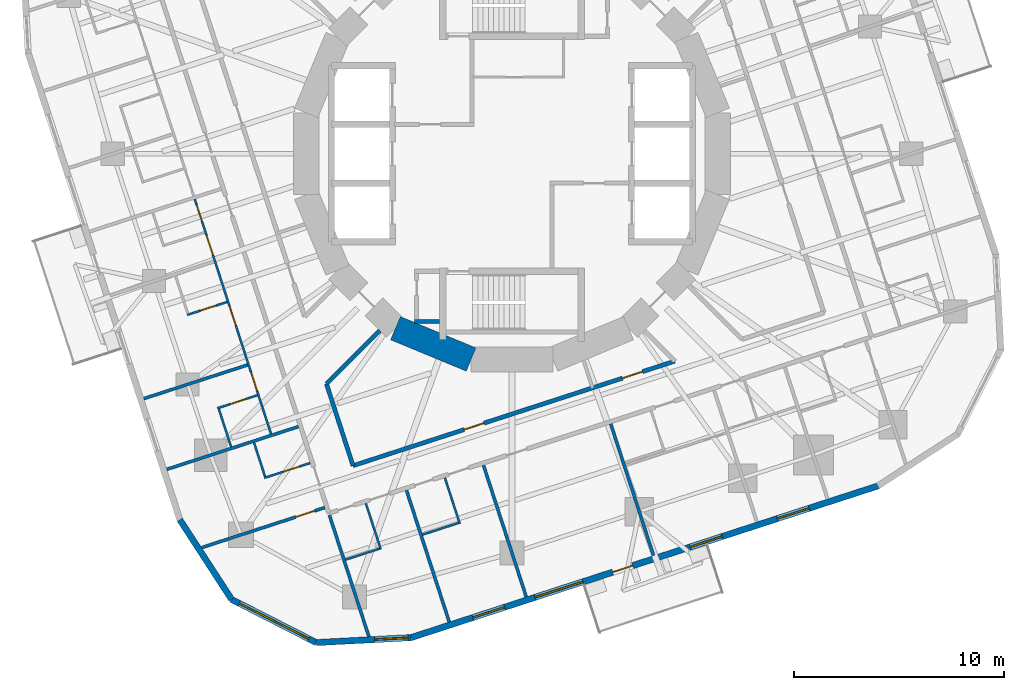
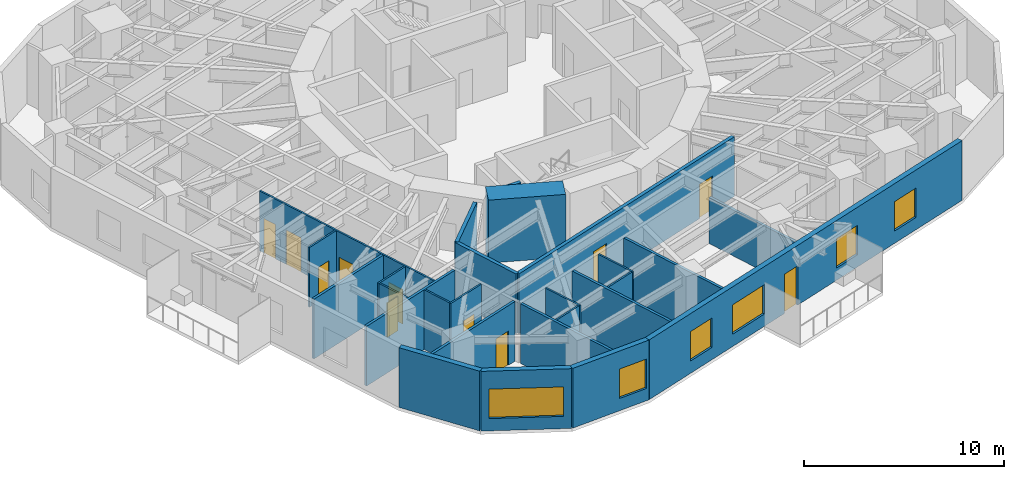
# One storey, part 4 of 13: 26 walls, 11 doors, 6 windows, 17 openings.
"""IFC4 building model written with IfcOpenShell, lengths in metres."""

import ifcopenshell
import ifcopenshell.guid

model = None  # the IFC model being written
_history = None  # IfcOwnerHistory: only IFC2X3 demands one
_inside = {}  # id of a spatial element -> (the spatial element, [elements in it])
_under = {}  # id of a project, library or spatial element -> (it, [spatial elements below it])
_declared = {}  # id of a project -> (the project, [libraries it declares])
_typed = {}  # id of a type object -> (the type object, [elements of that type])
_made_of = {}  # id of a material, layer set ... -> (it, [elements and type objects made of it])


def new_model(schema):
    """Start an empty IFC model of exactly this schema.

    Asked for "IFC4X3", IfcOpenShell would pick the latest addendum, in which some entities
    have other attributes; the version numbers below select the first issue.
    IFC2X3 requires an IfcOwnerHistory on every rooted entity: one is made here for all.
    """
    global model, _history
    if schema == "IFC4X3":
        model = ifcopenshell.file(schema_version=(4, 3, 0, 0))
    else:
        model = ifcopenshell.file(schema=schema)
    _inside.clear()
    _under.clear()
    _declared.clear()
    _typed.clear()
    _made_of.clear()
    _history = None
    if model.schema == "IFC2X3":
        org = make("IfcOrganization", Name="unknown")
        user = make(
            "IfcPersonAndOrganization",
            ThePerson=make("IfcPerson", FamilyName="unknown"),
            TheOrganization=org,
        )
        app = make(
            "IfcApplication",
            ApplicationDeveloper=org,
            Version="unknown",
            ApplicationFullName="unknown",
            ApplicationIdentifier="unknown",
        )
        _history = make(
            "IfcOwnerHistory",
            OwningUser=user,
            OwningApplication=app,
            ChangeAction="ADDED",
            CreationDate=0,
        )
    return model


def make(cls, **values):
    """One entity of the class cls with the attributes given. An attribute that is None is left unset."""
    return model.create_entity(
        cls, **{name: value for name, value in values.items() if value is not None}
    )


def rooted(cls, **values):
    """An entity with a GlobalId (a new one), such as an element, a storey or a relation."""
    return make(cls, GlobalId=ifcopenshell.guid.new(), OwnerHistory=_history, **values)


def si_unit(unit_type, name, prefix=None):
    """IfcSIUnit, for example si_unit("LENGTHUNIT", "METRE", prefix="MILLI")."""
    return make("IfcSIUnit", UnitType=unit_type, Prefix=prefix, Name=name)


def assignment(units):
    """IfcUnitAssignment: the units of a project."""
    return None if units is None else make("IfcUnitAssignment", Units=units)


def point(xyz):
    """IfcCartesianPoint."""
    return None if xyz is None else make("IfcCartesianPoint", Coordinates=xyz)


def direction(xyz):
    """IfcDirection."""
    return None if xyz is None else make("IfcDirection", DirectionRatios=xyz)


def frame(location, z_axis=None, x_axis=None):
    """IfcAxis2Placement3D, a coordinate frame: its origin and axes. An axis left out is left unset."""
    return make(
        "IfcAxis2Placement3D",
        Location=point(location),
        Axis=direction(z_axis),
        RefDirection=direction(x_axis),
    )


def frame_2d(location, x_axis=None):
    """IfcAxis2Placement2D, a coordinate frame in the plane: its origin and x axis."""
    return make(
        "IfcAxis2Placement2D", Location=point(location), RefDirection=direction(x_axis)
    )


def origin():
    """The frame at (0, 0, 0) with its axes left unset."""
    return frame((0.0, 0.0, 0.0))


def place(relative_to, where):
    """IfcLocalPlacement: puts the frame where relative to a parent placement (None: the world)."""
    return make(
        "IfcLocalPlacement", PlacementRelTo=relative_to, RelativePlacement=where
    )


def context(
    kind, dimensions, precision=None, world=None, true_north=None, identifier=None
):
    """IfcGeometricRepresentationContext, for example the 3D "Model" context."""
    return make(
        "IfcGeometricRepresentationContext",
        ContextIdentifier=identifier,
        ContextType=kind,
        CoordinateSpaceDimension=dimensions,
        Precision=precision,
        WorldCoordinateSystem=world,
        TrueNorth=true_north,
    )


def subcontext(parent, identifier, kind, view, scale=None):
    """IfcGeometricRepresentationSubContext, for example "Body" below "Model"."""
    return make(
        "IfcGeometricRepresentationSubContext",
        ContextIdentifier=identifier,
        ContextType=kind,
        ParentContext=parent,
        TargetScale=scale,
        TargetView=view,
    )


def project(units=None, contexts=None):
    """IfcProject with its units and contexts."""
    return rooted(
        "IfcProject",
        Name="project",
        RepresentationContexts=contexts,
        UnitsInContext=assignment(units),
    )


def spatial(cls, under=None, at=None, **own):
    """A site, building, storey or space (cls), placed at a placement, below another one or the project."""
    s = rooted(cls, ObjectPlacement=at, **own)
    if under is not None:
        _under.setdefault(under.id(), (under, []))[1].append(s)
    return s


def profile(cls, at=None, kind="AREA", **sizes):
    """A parametric profile (cls). Its sizes go by their IFC names, for example OverallWidth=200.0."""
    return make(cls, ProfileType=kind, Position=at, **sizes)


def rectangle(**sizes):
    """IfcRectangleProfileDef."""
    return profile("IfcRectangleProfileDef", **sizes)


def extrude(swept, where, along, depth):
    """IfcExtrudedAreaSolid: the profile swept, set in the frame where, extruded along a direction by depth."""
    return make(
        "IfcExtrudedAreaSolid",
        SweptArea=swept,
        Position=where,
        ExtrudedDirection=direction(along),
        Depth=depth,
    )


def shape(context_of_items, identifier, shape_type, items):
    """IfcShapeRepresentation: the items that make up one representation, for example the "Body"."""
    return make(
        "IfcShapeRepresentation",
        ContextOfItems=context_of_items,
        RepresentationIdentifier=identifier,
        RepresentationType=shape_type,
        Items=items,
    )


def material(Name=None, Category=None):
    """IfcMaterial."""
    return make("IfcMaterial", Name=Name, Category=Category)


def layer(
    of_material, thickness, ventilated=None, Name=None, Category=None, Priority=None
):
    """IfcMaterialLayer: one layer of a wall or slab, of a material (None: an air gap)."""
    return make(
        "IfcMaterialLayer",
        Material=of_material,
        LayerThickness=thickness,
        IsVentilated=ventilated,
        Name=Name,
        Category=Category,
        Priority=Priority,
    )


def layer_set(layers, Name=None):
    """IfcMaterialLayerSet."""
    return make("IfcMaterialLayerSet", MaterialLayers=layers, LayerSetName=Name)


def made_of(thing, what):
    """Note that an element or type object is made of a material, layer set ...; save() writes the relation."""
    if what is not None:
        _made_of.setdefault(what.id(), (what, []))[1].append(thing)
    return thing


def type_object(cls, material=None, **own):
    """A type object (cls), such as IfcWallType, which elements share."""
    return made_of(rooted(cls, **own), material)


def element(
    cls,
    number,
    at=None,
    inside=None,
    cuts=None,
    type_object=None,
    material=None,
    context=None,
    identifier="Body",
    shape_type=None,
    held_by="IfcProductDefinitionShape",
    body=None,
    shapes=None,
    **own,
):
    """One element of the class cls, such as IfcWall. Its Tag is "e" and its number.

    at: its placement. inside: the storey or other place that contains it. cuts: it is an
    opening in that element (IfcRelVoidsElement). A single representation is given by context,
    identifier, shape_type and body (its items); several are given by shapes. held_by: the class
    of the entity that holds the representations. save() writes the other relations.
    """
    e = rooted(cls, Tag="e%d" % number, ObjectPlacement=at, **own)
    if body is not None:
        shapes = [shape(context, identifier, shape_type, body)]
    if shapes is not None:
        e.Representation = make(held_by, Representations=shapes)
    if inside is not None:
        _inside.setdefault(inside.id(), (inside, []))[1].append(e)
    if cuts is not None:
        rooted(
            "IfcRelVoidsElement", RelatingBuildingElement=cuts, RelatedOpeningElement=e
        )
    if type_object is not None:
        _typed.setdefault(type_object.id(), (type_object, []))[1].append(e)
    return made_of(e, material)


def fill(opening, filler):
    """IfcRelFillsElement: the door or window that sits in an opening."""
    return rooted(
        "IfcRelFillsElement",
        RelatingOpeningElement=opening,
        RelatedBuildingElement=filler,
    )


def aggregate(whole, parts):
    """IfcRelAggregates: a whole, such as a stair, and the parts it consists of."""
    return rooted("IfcRelAggregates", RelatingObject=whole, RelatedObjects=parts)


def save(model, path):
    """Write the relations noted so far, then the file.

    IfcRelAggregates (storeys below a building ...), IfcRelContainedInSpatialStructure (elements
    in a storey), IfcRelDefinesByType, IfcRelAssociatesMaterial and IfcRelDeclares: one each for
    every whole, place, type object, material and project.
    """
    for whole, parts in _under.values():
        aggregate(whole, parts)
    for where, things in _inside.values():
        rooted(
            "IfcRelContainedInSpatialStructure",
            RelatedElements=things,
            RelatingStructure=where,
        )
    for kind, things in _typed.values():
        rooted("IfcRelDefinesByType", RelatedObjects=things, RelatingType=kind)
    for what, things in _made_of.values():
        rooted("IfcRelAssociatesMaterial", RelatedObjects=things, RelatingMaterial=what)
    for by, libraries in _declared.values():
        rooted("IfcRelDeclares", RelatingContext=by, RelatedDefinitions=libraries)
    model.write(path)


model = new_model("IFC4")

# Units and contexts
model_context = context("Model", 3, precision=1e-05, world=origin(), true_north=direction((0.0, 1.0)))
body_context = subcontext(model_context, "Body", "Model", "MODEL_VIEW")
ifc_project = project(units=[si_unit("LENGTHUNIT", "METRE"), si_unit("AREAUNIT", "SQUARE_METRE"), si_unit("VOLUMEUNIT", "CUBIC_METRE"), si_unit("PLANEANGLEUNIT", "RADIAN"), si_unit("MASSUNIT", "GRAM", prefix="KILO")], contexts=[model_context])

# Site, building, storey
site_placement = place(None, origin())
site = spatial("IfcSite", under=ifc_project, at=site_placement, CompositionType="ELEMENT")
building_placement = place(site_placement, origin())
building = spatial("IfcBuilding", under=site, at=building_placement, Name="Nakasero Lantern House", CompositionType="ELEMENT")
storey_placement = place(building_placement, frame((0.0, 0.0, 164.89990234375)))
storey = spatial("IfcBuildingStorey", under=building, at=storey_placement, Name="L40", CompositionType="ELEMENT", Elevation=164.89990234375)

# Wall, openings, doors
ifc_material_1 = material(Name="Blockwork", Category="masonry")
ifc_layer_1 = layer(ifc_material_1, 0.10009765625)
ifc_layer_set_1 = layer_set([ifc_layer_1], Name="Cluster hall wall 100")
wall_type_1 = type_object("IfcWallType", Name="Cluster hall wall 100", PredefinedType="PARTITIONING", material=ifc_layer_set_1)
wall_1_placement = place(storey_placement, frame((-15.1220703125, -2.161865234375, 0.0), z_axis=(0.0, 0.0, 1.0), x_axis=(0.309009113534, -0.9510590769, 0.0)))
wall_1 = element("IfcWall", 1, at=wall_1_placement, inside=storey, type_object=wall_type_1, Name="Cluster hall wall L40 HW2-1", PredefinedType="PARTITIONING", context=body_context, shape_type="SweptSolid", body=[
    extrude(rectangle(XDim=11.76416015625, YDim=0.10009765625, at=frame_2d((5.882080078125, 0.0))), origin(), (0.0, 0.0, 1.0), 3.650146484375),
])
opening_1_placement = place(wall_1_placement, frame((1.81396484375, 0.0, 0.0)))
opening_1 = element("IfcOpeningElement", 2, at=opening_1_placement, cuts=wall_1, Name="Opening D03", PredefinedType="OPENING", context=body_context, shape_type="SweptSolid", body=[
    extrude(rectangle(XDim=1.0, YDim=2.10009765625, at=frame_2d((0.5, 1.050048828125))), frame((0.0, 0.070068359375, 0.0), z_axis=(0.0, -1.0, 0.0), x_axis=(1.0, 0.0, 0.0)), (0.0, 0.0, 1.0), 0.14013671875),
])
opening_2_placement = place(wall_1_placement, frame((0.300048828125, 0.0, 0.0)))
opening_2 = element("IfcOpeningElement", 3, at=opening_2_placement, cuts=wall_1, Name="Opening D02", PredefinedType="OPENING", context=body_context, shape_type="SweptSolid", body=[
    extrude(rectangle(XDim=0.800048828125, YDim=2.10009765625, at=frame_2d((0.39990234375, 1.050048828125))), frame((0.0, 0.070068359375, 0.0), z_axis=(0.0, -1.0, 0.0), x_axis=(1.0, 0.0, 0.0)), (0.0, 0.0, 1.0), 0.14013671875),
])
opening_3_placement = place(wall_1_placement, frame((5.364013671875, 0.0, 0.0)))
opening_3 = element("IfcOpeningElement", 4, at=opening_3_placement, cuts=wall_1, Name="Opening D01", PredefinedType="OPENING", context=body_context, shape_type="SweptSolid", body=[
    extrude(rectangle(XDim=0.949951171875, YDim=2.10009765625, at=frame_2d((0.47509765625, 1.050048828125))), frame((0.0, 0.070068359375, 0.0), z_axis=(0.0, -1.0, 0.0), x_axis=(1.0, 0.0, 0.0)), (0.0, 0.0, 1.0), 0.14013671875),
])
opening_4_placement = place(wall_1_placement, frame((8.670166015625, 0.0, 0.0)))
opening_4 = element("IfcOpeningElement", 5, at=opening_4_placement, cuts=wall_1, Name="Opening D01", PredefinedType="OPENING", context=body_context, shape_type="SweptSolid", body=[
    extrude(rectangle(XDim=0.949951171875, YDim=2.10009765625, at=frame_2d((0.47509765625, 1.050048828125))), frame((0.0, 0.070068359375, 0.0), z_axis=(0.0, -1.0, 0.0), x_axis=(1.0, 0.0, 0.0)), (0.0, 0.0, 1.0), 0.14013671875),
])
ifc_material_2 = material(Name="Timber C24", Category="wood")
door_type_1 = type_object("IfcDoorType", Name="Bedroom door FD30S 950", OperationType="SINGLE_SWING_LEFT", PredefinedType="DOOR", material=ifc_material_2)
door_1_placement = place(opening_3_placement, origin())
door_1 = element("IfcDoor", 6, at=door_1_placement, inside=storey, type_object=door_type_1, Name="Door L40 D2-04", OperationType="SINGLE_SWING_LEFT", OverallHeight=2.10009765625, OverallWidth=0.949951171875, PredefinedType="DOOR", context=body_context, shape_type="SweptSolid", body=[
    extrude(rectangle(XDim=0.949951171875, YDim=2.10009765625, at=frame_2d((0.47509765625, 1.050048828125))), frame((0.0, 0.02490234375, 0.0), z_axis=(0.0, -1.0, 0.0), x_axis=(1.0, 0.0, 0.0)), (0.0, 0.0, 1.0), 0.050048828125),
])
fill(opening_3, door_1)
door_2_placement = place(opening_4_placement, origin())
door_2 = element("IfcDoor", 7, at=door_2_placement, inside=storey, type_object=door_type_1, Name="Door L40 D2-05", OperationType="SINGLE_SWING_RIGHT", OverallHeight=2.10009765625, OverallWidth=0.949951171875, PredefinedType="DOOR", context=body_context, shape_type="SweptSolid", body=[
    extrude(rectangle(XDim=0.949951171875, YDim=2.10009765625, at=frame_2d((0.47509765625, 1.050048828125))), frame((0.0, 0.02490234375, 0.0), z_axis=(0.0, -1.0, 0.0), x_axis=(1.0, 0.0, 0.0)), (0.0, 0.0, 1.0), 0.050048828125),
])
fill(opening_4, door_2)
ifc_material_3 = material(Name="Timber C24", Category="wood")
door_type_2 = type_object("IfcDoorType", Name="En-suite door 800", OperationType="SINGLE_SWING_RIGHT", PredefinedType="DOOR", material=ifc_material_3)
door_3_placement = place(opening_2_placement, origin())
door_3 = element("IfcDoor", 8, at=door_3_placement, inside=storey, type_object=door_type_2, Name="Door L40 DSH2-1", OperationType="SINGLE_SWING_LEFT", OverallHeight=2.10009765625, OverallWidth=0.800048828125, PredefinedType="DOOR", context=body_context, shape_type="SweptSolid", body=[
    extrude(rectangle(XDim=0.800048828125, YDim=2.10009765625, at=frame_2d((0.39990234375, 1.050048828125))), frame((0.0, 0.02490234375, 0.0), z_axis=(0.0, -1.0, 0.0), x_axis=(1.0, 0.0, 0.0)), (0.0, 0.0, 1.0), 0.050048828125),
])
fill(opening_2, door_3)
ifc_material_4 = material(Name="Timber C24", Category="wood")
door_type_3 = type_object("IfcDoorType", Name="Lounge door FD30S 1000", OperationType="SINGLE_SWING_LEFT", PredefinedType="DOOR", material=ifc_material_4)
door_4_placement = place(opening_1_placement, origin())
door_4 = element("IfcDoor", 9, at=door_4_placement, inside=storey, type_object=door_type_3, Name="Door L40 DH2-1", OperationType="SINGLE_SWING_LEFT", OverallHeight=2.10009765625, OverallWidth=1.0, PredefinedType="DOOR", context=body_context, shape_type="SweptSolid", body=[
    extrude(rectangle(XDim=1.0, YDim=2.10009765625, at=frame_2d((0.5, 1.050048828125))), frame((0.0, 0.02490234375, 0.0), z_axis=(0.0, -1.0, 0.0), x_axis=(1.0, 0.0, 0.0)), (0.0, 0.0, 1.0), 0.050048828125),
])
fill(opening_1, door_4)

# Walls
ifc_material_5 = material(Name="Concrete C50/60", Category="concrete")
ifc_layer_2 = layer(ifc_material_5, 1.199951171875)
ifc_layer_set_2 = layer_set([ifc_layer_2], Name="Core wall 1200")
wall_type_2 = type_object("IfcWallType", Name="Core wall 1200", PredefinedType="SHEAR", material=ifc_layer_set_2)
wall_2_placement = place(storey_placement, frame((-5.5556640625, -8.314697265625, 0.0), z_axis=(0.0, 0.0, 1.0), x_axis=(0.923876507187, -0.382690736062, 0.0)))
element("IfcWall", 10, at=wall_2_placement, inside=storey, type_object=wall_type_2, Name="Core wall L40 facet 11", PredefinedType="SHEAR", context=body_context, shape_type="SweptSolid", body=[
    extrude(rectangle(XDim=3.90185546875, YDim=1.199951171875, at=frame_2d((1.950927734375, 0.0))), origin(), (0.0, 0.0, 1.0), 3.85009765625),
])
ifc_material_6 = material(Name="Blockwork", Category="masonry")
ifc_layer_3 = layer(ifc_material_6, 0.199951171875)
ifc_layer_set_3 = layer_set([ifc_layer_3], Name="Corridor wall 200")
wall_type_3 = type_object("IfcWallType", Name="Corridor wall 200", PredefinedType="PARTITIONING", material=ifc_layer_set_3)
wall_3_placement = place(storey_placement, frame((-8.84423828125, -10.965576171875, 0.0), z_axis=(0.0, 0.0, 1.0), x_axis=(0.308973082722, -0.951070782935, 0.0)))
element("IfcWall", 11, at=wall_3_placement, inside=storey, type_object=wall_type_3, Name="Corridor wall L40 IW2-1", PredefinedType="PARTITIONING", context=body_context, shape_type="SweptSolid", body=[
    extrude(rectangle(XDim=4.104248046875, YDim=0.199951171875, at=frame_2d((2.05224609375, 0.0))), origin(), (0.0, 0.0, 1.0), 3.650146484375),
])

# Wall, openings, doors
wall_4_placement = place(storey_placement, frame((-7.576171875, -14.868896484375, 0.0), z_axis=(0.0, 0.0, 1.0), x_axis=(0.951056647235, 0.309016591385, 0.0)))
wall_4 = element("IfcWall", 12, at=wall_4_placement, inside=storey, type_object=wall_type_3, Name="Corridor wall L40 IW3-0", PredefinedType="PARTITIONING", context=body_context, shape_type="SweptSolid", body=[
    extrude(rectangle(XDim=16.12890625, YDim=0.199951171875, at=frame_2d((8.064453125, 0.0))), origin(), (0.0, 0.0, 1.0), 3.650146484375),
])
opening_5_placement = place(wall_4_placement, frame((5.5625, 0.0, 0.0)))
opening_5 = element("IfcOpeningElement", 13, at=opening_5_placement, cuts=wall_4, Name="Opening D07", PredefinedType="OPENING", context=body_context, shape_type="SweptSolid", body=[
    extrude(rectangle(XDim=1.0, YDim=2.10009765625, at=frame_2d((0.5, 1.050048828125))), frame((0.0, 0.119873046875, 0.0), z_axis=(0.0, -1.0, 0.0), x_axis=(1.0, 0.0, 0.0)), (0.0, 0.0, 1.0), 0.239990234375),
])
opening_6_placement = place(wall_4_placement, frame((13.501953125, 0.0, 0.0)))
opening_6 = element("IfcOpeningElement", 14, at=opening_6_placement, cuts=wall_4, Name="Opening D07", PredefinedType="OPENING", context=body_context, shape_type="SweptSolid", body=[
    extrude(rectangle(XDim=1.0, YDim=2.10009765625, at=frame_2d((0.5, 1.050048828125))), frame((0.0, 0.119873046875, 0.0), z_axis=(0.0, -1.0, 0.0), x_axis=(1.0, 0.0, 0.0)), (0.0, 0.0, 1.0), 0.239990234375),
])
ifc_material_7 = material(Name="Timber C24", Category="wood")
door_type_4 = type_object("IfcDoorType", Name="Room door FD30S 1000", OperationType="SINGLE_SWING_LEFT", PredefinedType="DOOR", material=ifc_material_7)
door_5_placement = place(opening_5_placement, origin())
door_5 = element("IfcDoor", 15, at=door_5_placement, inside=storey, type_object=door_type_4, Name="Door L40 DI2", OperationType="SINGLE_SWING_LEFT", OverallHeight=2.10009765625, OverallWidth=1.0, PredefinedType="DOOR", context=body_context, shape_type="SweptSolid", body=[
    extrude(rectangle(XDim=1.0, YDim=2.10009765625, at=frame_2d((0.5, 1.050048828125))), frame((0.0, 0.02490234375, 0.0), z_axis=(0.0, -1.0, 0.0), x_axis=(1.0, 0.0, 0.0)), (0.0, 0.0, 1.0), 0.050048828125),
])
fill(opening_5, door_5)
door_6_placement = place(opening_6_placement, origin())
door_6 = element("IfcDoor", 16, at=door_6_placement, inside=storey, type_object=door_type_4, Name="Door L40 DI3", OperationType="SINGLE_SWING_RIGHT", OverallHeight=2.10009765625, OverallWidth=1.0, PredefinedType="DOOR", context=body_context, shape_type="SweptSolid", body=[
    extrude(rectangle(XDim=1.0, YDim=2.10009765625, at=frame_2d((0.5, 1.050048828125))), frame((0.0, 0.02490234375, 0.0), z_axis=(0.0, -1.0, 0.0), x_axis=(1.0, 0.0, 0.0)), (0.0, 0.0, 1.0), 0.050048828125),
])
fill(opening_6, door_6)

# Wall
wall_5_placement = place(storey_placement, frame((-6.298828125, -8.420166015625, 0.0), z_axis=(0.0, 0.0, 1.0), x_axis=(-0.707106781187, -0.707106781187, 0.0)))
element("IfcWall", 17, at=wall_5_placement, inside=storey, type_object=wall_type_3, Name="Corridor wall L40 PS10a", PredefinedType="PARTITIONING", context=body_context, shape_type="SweptSolid", body=[
    extrude(rectangle(XDim=3.599853515625, YDim=0.199951171875, at=frame_2d((1.7998046875, 0.0))), origin(), (0.0, 0.0, 1.0), 3.650146484375),
])

# Wall, opening, door
ifc_material_8 = material(Name="Blockwork", Category="masonry")
ifc_layer_4 = layer(ifc_material_8, 0.10009765625)
ifc_layer_set_4 = layer_set([ifc_layer_4], Name="En-suite wall 100")
wall_type_4 = type_object("IfcWallType", Name="En-suite wall 100", PredefinedType="PARTITIONING", material=ifc_layer_set_4)
wall_6_placement = place(storey_placement, frame((-13.58154296875, -7.064697265625, 0.0), z_axis=(0.0, 0.0, 1.0), x_axis=(-0.951036759863, -0.309077791808, 0.0)))
wall_6 = element("IfcWall", 18, at=wall_6_placement, inside=storey, type_object=wall_type_4, Name="En-suite wall L40 ES2-04", PredefinedType="PARTITIONING", context=body_context, shape_type="SweptSolid", body=[
    extrude(rectangle(XDim=2.0, YDim=0.10009765625, at=frame_2d((1.0, 0.0))), origin(), (0.0, 0.0, 1.0), 3.650146484375),
])
opening_7_placement = place(wall_6_placement, frame((0.550048828125, 0.0, 0.0)))
opening_7 = element("IfcOpeningElement", 19, at=opening_7_placement, cuts=wall_6, Name="Opening D02", PredefinedType="OPENING", context=body_context, shape_type="SweptSolid", body=[
    extrude(rectangle(XDim=0.800048828125, YDim=2.10009765625, at=frame_2d((0.39990234375, 1.050048828125))), frame((0.0, 0.070068359375, 0.0), z_axis=(0.0, -1.0, 0.0), x_axis=(1.0, 0.0, 0.0)), (0.0, 0.0, 1.0), 0.14013671875),
])
door_7_placement = place(opening_7_placement, origin())
door_7 = element("IfcDoor", 20, at=door_7_placement, inside=storey, type_object=door_type_2, Name="Door L40 DE2-04", OperationType="SINGLE_SWING_LEFT", OverallHeight=2.10009765625, OverallWidth=0.800048828125, PredefinedType="DOOR", context=body_context, shape_type="SweptSolid", body=[
    extrude(rectangle(XDim=0.800048828125, YDim=2.10009765625, at=frame_2d((0.39990234375, 1.050048828125))), frame((0.0, 0.02490234375, 0.0), z_axis=(0.0, -1.0, 0.0), x_axis=(1.0, 0.0, 0.0)), (0.0, 0.0, 1.0), 0.050048828125),
])
fill(opening_7, door_7)

wall_7_placement = place(storey_placement, frame((-12.13671875, -11.51123046875, 0.0), z_axis=(0.0, 0.0, 1.0), x_axis=(-0.951048418938, -0.309041914367, 0.0)))
wall_7 = element("IfcWall", 21, at=wall_7_placement, inside=storey, type_object=wall_type_4, Name="En-suite wall L40 ES2-05", PredefinedType="PARTITIONING", context=body_context, shape_type="SweptSolid", body=[
    extrude(rectangle(XDim=2.000244140625, YDim=0.10009765625, at=frame_2d((1.0, 0.0))), origin(), (0.0, 0.0, 1.0), 3.650146484375),
])
opening_8_placement = place(wall_7_placement, frame((0.550048828125, 0.0, 0.0)))
opening_8 = element("IfcOpeningElement", 22, at=opening_8_placement, cuts=wall_7, Name="Opening D02", PredefinedType="OPENING", context=body_context, shape_type="SweptSolid", body=[
    extrude(rectangle(XDim=0.800048828125, YDim=2.10009765625, at=frame_2d((0.39990234375, 1.050048828125))), frame((0.0, 0.070068359375, 0.0), z_axis=(0.0, -1.0, 0.0), x_axis=(1.0, 0.0, 0.0)), (0.0, 0.0, 1.0), 0.14013671875),
])
door_8_placement = place(opening_8_placement, origin())
door_8 = element("IfcDoor", 23, at=door_8_placement, inside=storey, type_object=door_type_2, Name="Door L40 DE2-05", OperationType="SINGLE_SWING_LEFT", OverallHeight=2.10009765625, OverallWidth=0.800048828125, PredefinedType="DOOR", context=body_context, shape_type="SweptSolid", body=[
    extrude(rectangle(XDim=0.800048828125, YDim=2.10009765625, at=frame_2d((0.39990234375, 1.050048828125))), frame((0.0, 0.02490234375, 0.0), z_axis=(0.0, -1.0, 0.0), x_axis=(1.0, 0.0, 0.0)), (0.0, 0.0, 1.0), 0.050048828125),
])
fill(opening_8, door_8)

# Wall
wall_8_placement = place(storey_placement, frame((-13.975830078125, -12.161376953125, 0.0), z_axis=(0.0, 0.0, 1.0), x_axis=(0.308894308917, -0.951096370469, 0.0)))
element("IfcWall", 24, at=wall_8_placement, inside=storey, type_object=wall_type_4, Name="En-suite wall L40 EE2-05", PredefinedType="PARTITIONING", context=body_context, shape_type="SweptSolid", body=[
    extrude(rectangle(XDim=1.900146484375, YDim=0.10009765625, at=frame_2d((0.9501953125, 0.0))), origin(), (0.0, 0.0, 1.0), 3.650146484375),
])

# Wall, opening, door
wall_9_placement = place(storey_placement, frame((-9.61572265625, -14.740234375, 0.0), z_axis=(0.0, 0.0, 1.0), x_axis=(-0.951055129775, -0.309021261611, 0.0)))
wall_9 = element("IfcWall", 25, at=wall_9_placement, inside=storey, type_object=wall_type_4, Name="En-suite wall L40 ES2-06", PredefinedType="PARTITIONING", context=body_context, shape_type="SweptSolid", body=[
    extrude(rectangle(XDim=2.2998046875, YDim=0.10009765625, at=frame_2d((1.14990234375, 0.0))), origin(), (0.0, 0.0, 1.0), 3.650146484375),
])
opening_9_placement = place(wall_9_placement, frame((0.550048828125, 0.0, 0.0)))
opening_9 = element("IfcOpeningElement", 26, at=opening_9_placement, cuts=wall_9, Name="Opening D02", PredefinedType="OPENING", context=body_context, shape_type="SweptSolid", body=[
    extrude(rectangle(XDim=0.800048828125, YDim=2.10009765625, at=frame_2d((0.39990234375, 1.050048828125))), frame((0.0, 0.070068359375, 0.0), z_axis=(0.0, -1.0, 0.0), x_axis=(1.0, 0.0, 0.0)), (0.0, 0.0, 1.0), 0.14013671875),
])
door_9_placement = place(opening_9_placement, origin())
door_9 = element("IfcDoor", 27, at=door_9_placement, inside=storey, type_object=door_type_2, Name="Door L40 DE2-06", OperationType="SINGLE_SWING_LEFT", OverallHeight=2.10009765625, OverallWidth=0.800048828125, PredefinedType="DOOR", context=body_context, shape_type="SweptSolid", body=[
    extrude(rectangle(XDim=0.800048828125, YDim=2.10009765625, at=frame_2d((0.39990234375, 1.050048828125))), frame((0.0, 0.02490234375, 0.0), z_axis=(0.0, -1.0, 0.0), x_axis=(1.0, 0.0, 0.0)), (0.0, 0.0, 1.0), 0.050048828125),
])
fill(opening_9, door_9)

# Walls
wall_10_placement = place(storey_placement, frame((-12.29638671875, -13.771240234375, 0.0), z_axis=(0.0, 0.0, 1.0), x_axis=(0.309066587596, -0.951040401051, 0.0)))
element("IfcWall", 28, at=wall_10_placement, inside=storey, type_object=wall_type_4, Name="En-suite wall L40 EE2-06", PredefinedType="PARTITIONING", context=body_context, shape_type="SweptSolid", body=[
    extrude(rectangle(XDim=1.699951171875, YDim=0.10009765625, at=frame_2d((0.85009765625, 0.0))), origin(), (0.0, 0.0, 1.0), 3.650146484375),
])
wall_11_placement = place(storey_placement, frame((-6.965087890625, -16.668212890625, 0.0), z_axis=(0.0, 0.0, 1.0), x_axis=(0.309021261611, -0.951055129775, 0.0)))
element("IfcWall", 29, at=wall_11_placement, inside=storey, type_object=wall_type_4, Name="En-suite wall L40 ES3-00", PredefinedType="PARTITIONING", context=body_context, shape_type="SweptSolid", body=[
    extrude(rectangle(XDim=2.2998046875, YDim=0.10009765625, at=frame_2d((1.14990234375, 0.0))), origin(), (0.0, 0.0, 1.0), 3.650146484375),
])
wall_12_placement = place(storey_placement, frame((-7.934326171875, -19.348876953125, 0.0), z_axis=(0.0, 0.0, 1.0), x_axis=(0.951054116971, 0.309024378638, 0.0)))
element("IfcWall", 30, at=wall_12_placement, inside=storey, type_object=wall_type_4, Name="En-suite wall L40 EE3-00", PredefinedType="PARTITIONING", context=body_context, shape_type="SweptSolid", body=[
    extrude(rectangle(XDim=1.7001953125, YDim=0.10009765625, at=frame_2d((0.85009765625, 0.0))), origin(), (0.0, 0.0, 1.0), 3.650146484375),
])
wall_13_placement = place(storey_placement, frame((-3.199462890625, -15.444580078125, 0.0), z_axis=(0.0, 0.0, 1.0), x_axis=(0.308990065628, -0.951065265554, 0.0)))
element("IfcWall", 31, at=wall_13_placement, inside=storey, type_object=wall_type_4, Name="En-suite wall L40 ES3-01", PredefinedType="PARTITIONING", context=body_context, shape_type="SweptSolid", body=[
    extrude(rectangle(XDim=2.300048828125, YDim=0.10009765625, at=frame_2d((1.14990234375, 0.0))), origin(), (0.0, 0.0, 1.0), 3.650146484375),
])
wall_14_placement = place(storey_placement, frame((-4.263671875, -18.15625, 0.0), z_axis=(0.0, 0.0, 1.0), x_axis=(0.951030081821, 0.309098339485, 0.0)))
element("IfcWall", 32, at=wall_14_placement, inside=storey, type_object=wall_type_4, Name="En-suite wall L40 EE3-01", PredefinedType="PARTITIONING", context=body_context, shape_type="SweptSolid", body=[
    extrude(rectangle(XDim=1.800048828125, YDim=0.10009765625, at=frame_2d((0.89990234375, 0.0))), origin(), (0.0, 0.0, 1.0), 3.650146484375),
])
ifc_material_9 = material(Name="Aluminium rainscreen on blockwork", Category="masonry")
ifc_layer_5 = layer(ifc_material_9, 0.300048828125)
ifc_layer_set_5 = layer_set([ifc_layer_5], Name="Facade wall 300")
wall_type_5 = type_object("IfcWallType", Name="Facade wall 300", PredefinedType="SOLIDWALL", material=ifc_layer_set_5)
wall_15_placement = place(storey_placement, frame((-15.83349609375, -17.44677734375, 0.0), z_axis=(0.0, 0.0, 1.0), x_axis=(0.544634002266, -0.838673836229, 0.0)))
element("IfcWall", 33, at=wall_15_placement, inside=storey, type_object=wall_type_5, Name="Facade wall L40 FW2C1", PredefinedType="SOLIDWALL", context=body_context, shape_type="SweptSolid", body=[
    extrude(rectangle(XDim=4.529296875, YDim=0.300048828125, at=frame_2d((2.2646484375, 0.0))), origin(), (0.0, 0.0, 1.0), 3.650146484375),
])

# Wall, opening, window
wall_16_placement = place(storey_placement, frame((-13.36669921875, -21.245361328125, 0.0), z_axis=(0.0, 0.0, 1.0), x_axis=(0.890994655705, -0.454013792196, 0.0)))
wall_16 = element("IfcWall", 34, at=wall_16_placement, inside=storey, type_object=wall_type_5, Name="Facade wall L40 FW2C2", PredefinedType="SOLIDWALL", context=body_context, shape_type="SweptSolid", body=[
    extrude(rectangle(XDim=4.529296875, YDim=0.300048828125, at=frame_2d((2.2646484375, 0.0))), origin(), (0.0, 0.0, 1.0), 3.650146484375),
])
opening_10_placement = place(wall_16_placement, frame((0.39990234375, 0.0, 0.75)))
opening_10 = element("IfcOpeningElement", 35, at=opening_10_placement, cuts=wall_16, Name="Opening W237A", PredefinedType="OPENING", context=body_context, shape_type="SweptSolid", body=[
    extrude(rectangle(XDim=3.72900390625, YDim=1.800048828125, at=frame_2d((1.864501953125, 0.89990234375))), frame((0.0, 0.169921875, 0.0), z_axis=(0.0, -1.0, 0.0), x_axis=(1.0, 0.0, 0.0)), (0.0, 0.0, 1.0), 0.340087890625),
])
ifc_material_10 = material(Name="Aluminium 6063-T6 and glass", Category="aluminium")
window_type_1 = type_object("IfcWindowType", Name="Corner window 3729x1800", PartitioningType="SINGLE_PANEL", PredefinedType="WINDOW", material=ifc_material_10)
window_1_placement = place(opening_10_placement, origin())
window_1 = element("IfcWindow", 36, at=window_1_placement, inside=storey, type_object=window_type_1, Name="Window L40 WC2", OverallHeight=1.800048828125, OverallWidth=3.72900390625, PartitioningType="SINGLE_PANEL", PredefinedType="WINDOW", context=body_context, shape_type="SweptSolid", body=[
    extrude(rectangle(XDim=3.72900390625, YDim=1.800048828125, at=frame_2d((1.864501953125, 0.89990234375))), frame((0.0, 0.030029296875, 0.0), z_axis=(0.0, -1.0, 0.0), x_axis=(1.0, 0.0, 0.0)), (0.0, 0.0, 1.0), 0.06005859375),
])
fill(opening_10, window_1)

wall_17_placement = place(storey_placement, frame((-9.3310546875, -23.3017578125, 0.0), z_axis=(0.0, 0.0, 1.0), x_axis=(0.998629419044, 0.052338164079, 0.0)))
wall_17 = element("IfcWall", 37, at=wall_17_placement, inside=storey, type_object=wall_type_5, Name="Facade wall L40 FW2C3", PredefinedType="SOLIDWALL", context=body_context, shape_type="SweptSolid", body=[
    extrude(rectangle(XDim=4.529296875, YDim=0.300048828125, at=frame_2d((2.2646484375, 0.0))), origin(), (0.0, 0.0, 1.0), 3.650146484375),
])
opening_11_placement = place(wall_17_placement, frame((2.784912109375, 0.0, 0.75)))
opening_11 = element("IfcOpeningElement", 38, at=opening_11_placement, cuts=wall_17, Name="Opening W01", PredefinedType="OPENING", context=body_context, shape_type="SweptSolid", body=[
    extrude(rectangle(XDim=1.60009765625, YDim=1.800048828125, at=frame_2d((0.800048828125, 0.89990234375))), frame((0.0, 0.169921875, 0.0), z_axis=(0.0, -1.0, 0.0), x_axis=(1.0, 0.0, 0.0)), (0.0, 0.0, 1.0), 0.340087890625),
])
ifc_material_11 = material(Name="Aluminium 6063-T6 and glass", Category="aluminium")
window_type_2 = type_object("IfcWindowType", Name="Bedroom window 1600x1800", PartitioningType="SINGLE_PANEL", PredefinedType="WINDOW", material=ifc_material_11)
window_2_placement = place(opening_11_placement, origin())
window_2 = element("IfcWindow", 39, at=window_2_placement, inside=storey, type_object=window_type_2, Name="Window L40 WN3-00", OverallHeight=1.800048828125, OverallWidth=1.60009765625, PartitioningType="SINGLE_PANEL", PredefinedType="WINDOW", context=body_context, shape_type="SweptSolid", body=[
    extrude(rectangle(XDim=1.60009765625, YDim=1.800048828125, at=frame_2d((0.800048828125, 0.89990234375))), frame((0.0, 0.030029296875, 0.0), z_axis=(0.0, -1.0, 0.0), x_axis=(1.0, 0.0, 0.0)), (0.0, 0.0, 1.0), 0.06005859375),
])
fill(opening_11, window_2)

# Wall, openings, door, windows
wall_18_placement = place(storey_placement, frame((-4.807861328125, -23.064697265625, 0.0), z_axis=(0.0, 0.0, 1.0), x_axis=(0.951053618334, 0.30902591324, 0.0)))
wall_18 = element("IfcWall", 40, at=wall_18_placement, inside=storey, type_object=wall_type_5, Name="Facade wall L40 FW3S", PredefinedType="SOLIDWALL", context=body_context, shape_type="SweptSolid", body=[
    extrude(rectangle(XDim=23.39990234375, YDim=0.300048828125, at=frame_2d((11.699951171875, 0.0))), origin(), (0.0, 0.0, 1.0), 3.650146484375),
])
opening_12_placement = place(wall_18_placement, frame((3.089111328125, 0.0, 0.75)))
opening_12 = element("IfcOpeningElement", 41, at=opening_12_placement, cuts=wall_18, Name="Opening W01", PredefinedType="OPENING", context=body_context, shape_type="SweptSolid", body=[
    extrude(rectangle(XDim=1.60009765625, YDim=1.800048828125, at=frame_2d((0.800048828125, 0.89990234375))), frame((0.0, 0.169921875, 0.0), z_axis=(0.0, -1.0, 0.0), x_axis=(1.0, 0.0, 0.0)), (0.0, 0.0, 1.0), 0.340087890625),
])
opening_13_placement = place(wall_18_placement, frame((13.987548828125, 0.0, 0.75)))
opening_13 = element("IfcOpeningElement", 42, at=opening_13_placement, cuts=wall_18, Name="Opening W01", PredefinedType="OPENING", context=body_context, shape_type="SweptSolid", body=[
    extrude(rectangle(XDim=1.60009765625, YDim=1.800048828125, at=frame_2d((0.800048828125, 0.89990234375))), frame((0.0, 0.169921875, 0.0), z_axis=(0.0, -1.0, 0.0), x_axis=(1.0, 0.0, 0.0)), (0.0, 0.0, 1.0), 0.340087890625),
])
opening_14_placement = place(wall_18_placement, frame((18.350341796875, 0.0, 0.75)))
opening_14 = element("IfcOpeningElement", 43, at=opening_14_placement, cuts=wall_18, Name="Opening W01", PredefinedType="OPENING", context=body_context, shape_type="SweptSolid", body=[
    extrude(rectangle(XDim=1.60009765625, YDim=1.800048828125, at=frame_2d((0.800048828125, 0.89990234375))), frame((0.0, 0.169921875, 0.0), z_axis=(0.0, -1.0, 0.0), x_axis=(1.0, 0.0, 0.0)), (0.0, 0.0, 1.0), 0.340087890625),
])
opening_15_placement = place(wall_18_placement, frame((6.21337890625, 0.0, 0.75)))
opening_15 = element("IfcOpeningElement", 44, at=opening_15_placement, cuts=wall_18, Name="Opening W03", PredefinedType="OPENING", context=body_context, shape_type="SweptSolid", body=[
    extrude(rectangle(XDim=2.39990234375, YDim=1.800048828125, at=frame_2d((1.199951171875, 0.89990234375))), frame((0.0, 0.169921875, 0.0), z_axis=(0.0, -1.0, 0.0), x_axis=(1.0, 0.0, 0.0)), (0.0, 0.0, 1.0), 0.340087890625),
])
opening_16_placement = place(wall_18_placement, frame((10.1025390625, 0.0, 0.0)))
opening_16 = element("IfcOpeningElement", 45, at=opening_16_placement, cuts=wall_18, Name="Opening D04", PredefinedType="OPENING", context=body_context, shape_type="SweptSolid", body=[
    extrude(rectangle(XDim=1.0, YDim=2.39990234375, at=frame_2d((0.5, 1.199951171875))), frame((0.0, 0.169921875, 0.0), z_axis=(0.0, -1.0, 0.0), x_axis=(1.0, 0.0, 0.0)), (0.0, 0.0, 1.0), 0.340087890625),
])
ifc_material_12 = material(Name="Aluminium 6063-T6 and glass", Category="aluminium")
door_type_5 = type_object("IfcDoorType", Name="Balcony door 1000x2400", OperationType="SINGLE_SWING_RIGHT", PredefinedType="DOOR", material=ifc_material_12)
door_10_placement = place(opening_16_placement, origin())
door_10 = element("IfcDoor", 46, at=door_10_placement, inside=storey, type_object=door_type_5, Name="Balcony door L40 DB3", OperationType="SINGLE_SWING_RIGHT", OverallHeight=2.39990234375, OverallWidth=1.0, PredefinedType="DOOR", context=body_context, shape_type="SweptSolid", body=[
    extrude(rectangle(XDim=1.0, YDim=2.39990234375, at=frame_2d((0.5, 1.199951171875))), frame((0.0, 0.02490234375, 0.0), z_axis=(0.0, -1.0, 0.0), x_axis=(1.0, 0.0, 0.0)), (0.0, 0.0, 1.0), 0.050048828125),
])
fill(opening_16, door_10)
window_3_placement = place(opening_12_placement, origin())
window_3 = element("IfcWindow", 47, at=window_3_placement, inside=storey, type_object=window_type_2, Name="Window L40 WN3-01", OverallHeight=1.800048828125, OverallWidth=1.60009765625, PartitioningType="SINGLE_PANEL", PredefinedType="WINDOW", context=body_context, shape_type="SweptSolid", body=[
    extrude(rectangle(XDim=1.60009765625, YDim=1.800048828125, at=frame_2d((0.800048828125, 0.89990234375))), frame((0.0, 0.030029296875, 0.0), z_axis=(0.0, -1.0, 0.0), x_axis=(1.0, 0.0, 0.0)), (0.0, 0.0, 1.0), 0.06005859375),
])
fill(opening_12, window_3)
window_4_placement = place(opening_13_placement, origin())
window_4 = element("IfcWindow", 48, at=window_4_placement, inside=storey, type_object=window_type_2, Name="Window L40 WN3-04", OverallHeight=1.800048828125, OverallWidth=1.60009765625, PartitioningType="SINGLE_PANEL", PredefinedType="WINDOW", context=body_context, shape_type="SweptSolid", body=[
    extrude(rectangle(XDim=1.60009765625, YDim=1.800048828125, at=frame_2d((0.800048828125, 0.89990234375))), frame((0.0, 0.030029296875, 0.0), z_axis=(0.0, -1.0, 0.0), x_axis=(1.0, 0.0, 0.0)), (0.0, 0.0, 1.0), 0.06005859375),
])
fill(opening_13, window_4)
window_5_placement = place(opening_14_placement, origin())
window_5 = element("IfcWindow", 49, at=window_5_placement, inside=storey, type_object=window_type_2, Name="Window L40 WN3-05", OverallHeight=1.800048828125, OverallWidth=1.60009765625, PartitioningType="SINGLE_PANEL", PredefinedType="WINDOW", context=body_context, shape_type="SweptSolid", body=[
    extrude(rectangle(XDim=1.60009765625, YDim=1.800048828125, at=frame_2d((0.800048828125, 0.89990234375))), frame((0.0, 0.030029296875, 0.0), z_axis=(0.0, -1.0, 0.0), x_axis=(1.0, 0.0, 0.0)), (0.0, 0.0, 1.0), 0.06005859375),
])
fill(opening_14, window_5)
ifc_material_13 = material(Name="Aluminium 6063-T6 and glass", Category="aluminium")
window_type_3 = type_object("IfcWindowType", Name="Lounge window 2400x1800", PartitioningType="SINGLE_PANEL", PredefinedType="WINDOW", material=ifc_material_13)
window_6_placement = place(opening_15_placement, origin())
window_6 = element("IfcWindow", 50, at=window_6_placement, inside=storey, type_object=window_type_3, Name="Window L40 WK3", OverallHeight=1.800048828125, OverallWidth=2.39990234375, PartitioningType="SINGLE_PANEL", PredefinedType="WINDOW", context=body_context, shape_type="SweptSolid", body=[
    extrude(rectangle(XDim=2.39990234375, YDim=1.800048828125, at=frame_2d((1.199951171875, 0.89990234375))), frame((0.0, 0.030029296875, 0.0), z_axis=(0.0, -1.0, 0.0), x_axis=(1.0, 0.0, 0.0)), (0.0, 0.0, 1.0), 0.06005859375),
])
fill(opening_15, window_6)

# Walls
ifc_material_14 = material(Name="Blockwork", Category="masonry")
ifc_layer_6 = layer(ifc_material_14, 0.199951171875)
ifc_layer_set_6 = layer_set([ifc_layer_6], Name="Fire lobby wall 200")
wall_type_6 = type_object("IfcWallType", Name="Fire lobby wall 200", PredefinedType="PARTITIONING", material=ifc_layer_set_6)
wall_19_placement = place(storey_placement, frame((-3.449951171875, -8.0, 0.0), z_axis=(0.0, 0.0, 1.0), x_axis=(-1.0, 0.0, 0.0)))
element("IfcWall", 51, at=wall_19_placement, inside=storey, type_object=wall_type_6, Name="Fire lobby wall L40 W-RS2S", PredefinedType="PARTITIONING", context=body_context, shape_type="SweptSolid", body=[
    extrude(rectangle(XDim=1.199951171875, YDim=0.199951171875, at=frame_2d((0.60009765625, 0.0))), origin(), (0.0, 0.0, 1.0), 3.650146484375),
])
ifc_material_15 = material(Name="Blockwork", Category="masonry")
ifc_layer_7 = layer(ifc_material_15, 0.14990234375)
ifc_layer_set_7 = layer_set([ifc_layer_7], Name="Party wall 150")
wall_type_7 = type_object("IfcWallType", Name="Party wall 150", PredefinedType="PARTITIONING", material=ifc_layer_set_7)
wall_20_placement = place(storey_placement, frame((-12.606201171875, -10.06640625, 0.0), z_axis=(0.0, 0.0, 1.0), x_axis=(-0.951055112834, -0.309021313752, 0.0)))
element("IfcWall", 52, at=wall_20_placement, inside=storey, type_object=wall_type_7, Name="Party wall L40 PW2-05", PredefinedType="PARTITIONING", context=body_context, shape_type="SweptSolid", body=[
    extrude(rectangle(XDim=5.2001953125, YDim=0.14990234375, at=frame_2d((2.60009765625, 0.0))), origin(), (0.0, 0.0, 1.0), 3.650146484375),
])
wall_21_placement = place(storey_placement, frame((-10.1796875, -13.004638671875, 0.0), z_axis=(0.0, 0.0, 1.0), x_axis=(-0.951053095941, -0.309027520945, 0.0)))
element("IfcWall", 53, at=wall_21_placement, inside=storey, type_object=wall_type_7, Name="Party wall L40 PW2-06", PredefinedType="PARTITIONING", context=body_context, shape_type="SweptSolid", body=[
    extrude(rectangle(XDim=6.599853515625, YDim=0.14990234375, at=frame_2d((3.2998046875, 0.0))), origin(), (0.0, 0.0, 1.0), 3.650146484375),
])

# Wall, opening, door
wall_22_placement = place(storey_placement, frame((-8.9248046875, -16.8662109375, 0.0), z_axis=(0.0, 0.0, 1.0), x_axis=(-0.951051818488, -0.309031452366, 0.0)))
wall_22 = element("IfcWall", 54, at=wall_22_placement, inside=storey, type_object=wall_type_7, Name="Party wall L40 PC2", PredefinedType="PARTITIONING", context=body_context, shape_type="SweptSolid", body=[
    extrude(rectangle(XDim=6.165283203125, YDim=0.14990234375, at=frame_2d((3.08251953125, 0.0))), origin(), (0.0, 0.0, 1.0), 3.650146484375),
])
opening_17_placement = place(wall_22_placement, frame((0.5, 0.0, 0.0)))
opening_17 = element("IfcOpeningElement", 55, at=opening_17_placement, cuts=wall_22, Name="Opening D01", PredefinedType="OPENING", context=body_context, shape_type="SweptSolid", body=[
    extrude(rectangle(XDim=0.949951171875, YDim=2.10009765625, at=frame_2d((0.47509765625, 1.050048828125))), frame((0.0, 0.094970703125, 0.0), z_axis=(0.0, -1.0, 0.0), x_axis=(1.0, 0.0, 0.0)), (0.0, 0.0, 1.0), 0.18994140625),
])
door_11_placement = place(opening_17_placement, origin())
door_11 = element("IfcDoor", 56, at=door_11_placement, inside=storey, type_object=door_type_1, Name="Door L40 DC2", OperationType="SINGLE_SWING_LEFT", OverallHeight=2.10009765625, OverallWidth=0.949951171875, PredefinedType="DOOR", context=body_context, shape_type="SweptSolid", body=[
    extrude(rectangle(XDim=0.949951171875, YDim=2.10009765625, at=frame_2d((0.47509765625, 1.050048828125))), frame((0.0, 0.02490234375, 0.0), z_axis=(0.0, -1.0, 0.0), x_axis=(1.0, 0.0, 0.0)), (0.0, 0.0, 1.0), 0.050048828125),
])
fill(opening_17, door_11)

# Walls
wall_23_placement = place(storey_placement, frame((-8.700927734375, -17.232177734375, 0.0), z_axis=(0.0, 0.0, 1.0), x_axis=(0.309015253813, -0.951057081836, 0.0)))
element("IfcWall", 57, at=wall_23_placement, inside=storey, type_object=wall_type_7, Name="Party wall L40 PW3-00", PredefinedType="PARTITIONING", context=body_context, shape_type="SweptSolid", body=[
    extrude(rectangle(XDim=6.080322265625, YDim=0.14990234375, at=frame_2d((3.0400390625, 0.0))), origin(), (0.0, 0.0, 1.0), 3.650146484375),
])
for number, where, z_axis, x_axis, name in (
    (58, (-5.0302734375, -16.03955078125, 0.0), (0.0, 0.0, 1.0), (0.309027520945, -0.951053095941, 0.0), "Party wall L40 PW3-01"),
    (59, (-1.359619140625, -14.846923828125, 0.0), (0.0, 0.0, 1.0), (0.309027520945, -0.951053095941, 0.0), "Party wall L40 PW3-02"),
):
    element("IfcWall", number, at=place(storey_placement, frame(where, z_axis=z_axis, x_axis=x_axis)), inside=storey, type_object=wall_type_7, Name=name, PredefinedType="PARTITIONING", context=body_context, shape_type="SweptSolid", body=[
        extrude(rectangle(XDim=6.599853515625, YDim=0.14990234375, at=frame_2d((3.2998046875, 0.0))), origin(), (0.0, 0.0, 1.0), 3.650146484375),
    ])
wall_24_placement = place(storey_placement, frame((4.706298828125, -12.8759765625, 0.0), z_axis=(0.0, 0.0, 1.0), x_axis=(0.309027520945, -0.951053095941, 0.0)))
element("IfcWall", 60, at=wall_24_placement, inside=storey, type_object=wall_type_7, Name="Party wall L40 PW3-04", PredefinedType="PARTITIONING", context=body_context, shape_type="SweptSolid", body=[
    extrude(rectangle(XDim=6.599853515625, YDim=0.14990234375, at=frame_2d((3.2998046875, 0.0))), origin(), (0.0, 0.0, 1.0), 2.809326171875),
])

save(model, "model.ifc")
